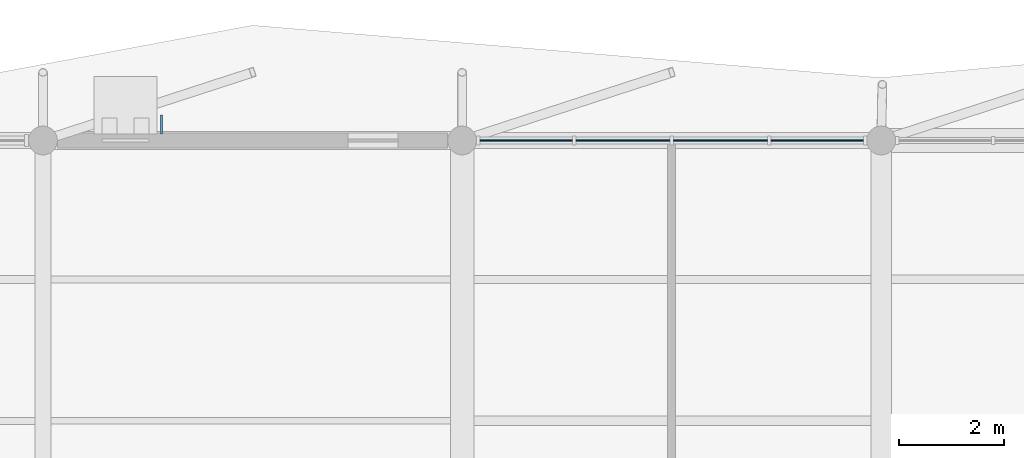
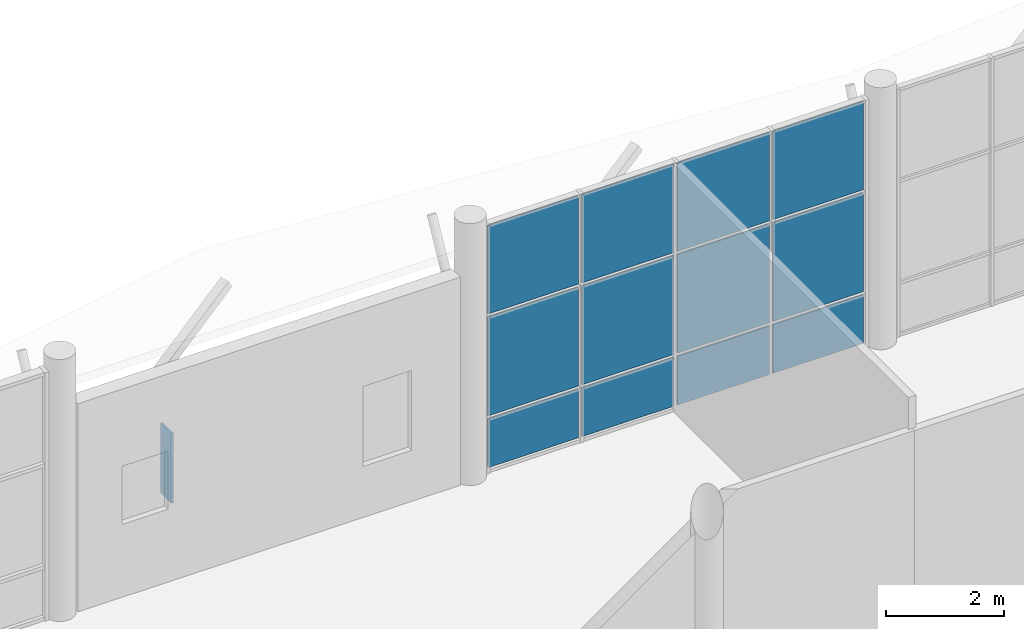
# One storey, part 91 of 122: 13 plates, 1 element without a shape of its own.
"""IFC4 building model written with IfcOpenShell, lengths in metres."""

from ifc_helpers import new_model, si_unit, direction, frame, origin, origin_2d, place, context, subcontext, project, spatial, rectangle, extrude, material, layer, layer_set, type_object, element, aggregate, save


model = new_model("IFC4")

# Units and contexts
model_context = context("Model", 3, precision=1e-05, world=origin(), true_north=direction((0.0, 1.0)))
body_context = subcontext(model_context, "Body", "Model", "MODEL_VIEW")
ifc_project = project(units=[si_unit("LENGTHUNIT", "METRE"), si_unit("AREAUNIT", "SQUARE_METRE"), si_unit("VOLUMEUNIT", "CUBIC_METRE"), si_unit("PLANEANGLEUNIT", "RADIAN"), si_unit("MASSUNIT", "GRAM", prefix="KILO")], contexts=[model_context])

# Site, building, storey
site_placement = place(None, origin())
site = spatial("IfcSite", under=ifc_project, at=site_placement, CompositionType="ELEMENT")
building_placement = place(site_placement, origin())
building = spatial("IfcBuilding", under=site, at=building_placement, Name="Tenunan Teduh Sports Hall", CompositionType="ELEMENT")
storey_placement = place(building_placement, frame((0.0, 0.0, 5.39990234375)))
storey = spatial("IfcBuildingStorey", under=building, at=storey_placement, Name="L01", CompositionType="ELEMENT", Elevation=5.39990234375)

# Curtain wall, plates
ifc_material_1 = material(Name="Anodised aluminium", Category="aluminium")
curtain_wall_type = type_object("IfcCurtainWallType", Name="CW-UNIT-1", PredefinedType="NOTDEFINED", material=ifc_material_1)
curtain_wall_placement = place(storey_placement, origin())
curtain_wall = element("IfcCurtainWall", 1, at=curtain_wall_placement, inside=storey, type_object=curtain_wall_type, Name="CW-CWM-175-L01-250", PredefinedType="NOTDEFINED")
ifc_material_2 = material(Name="Low-E laminated double glazing", Category="glass")
ifc_layer_1 = layer(ifc_material_2, 0.028076171875)
ifc_layer_set_1 = layer_set([ifc_layer_1], Name="Low-E laminated double glazing")
plate_type_1 = type_object("IfcPlateType", Name="CWP-GLZ-28", PredefinedType="CURTAIN_PANEL", material=ifc_layer_set_1)
plate_1_placement = place(storey_placement, frame((123.222412109375, 118.0, 1.1328125), z_axis=(0.0, 0.0, 1.0), x_axis=(1.0, 0.0, 0.0)))
plate_1 = element("IfcPlate", 2, at=plate_1_placement, type_object=plate_type_1, Name="CW-01 panel 1.2", PredefinedType="CURTAIN_PANEL", context=body_context, shape_type="SweptSolid", body=[
    extrude(rectangle(XDim=1.764892578125, YDim=0.028076171875, at=origin_2d()), origin(), (0.0, 0.0, 1.0), 2.034912109375),
])
plate_2_placement = place(storey_placement, frame((123.222412109375, 118.0, 3.232421875), z_axis=(0.0, 0.0, 1.0), x_axis=(1.0, 0.0, 0.0)))
plate_2 = element("IfcPlate", 3, at=plate_2_placement, type_object=plate_type_1, Name="CW-01 panel 1.3", PredefinedType="CURTAIN_PANEL", context=body_context, shape_type="SweptSolid", body=[
    extrude(rectangle(XDim=1.764892578125, YDim=0.028076171875, at=origin_2d()), origin(), (0.0, 0.0, 1.0), 1.822509765625),
])
plate_3_placement = place(storey_placement, frame((125.06884765625, 118.0, 1.1328125), z_axis=(0.0, 0.0, 1.0), x_axis=(1.0, 0.0, 0.0)))
plate_3 = element("IfcPlate", 4, at=plate_3_placement, type_object=plate_type_1, Name="CW-01 panel 2.2", PredefinedType="CURTAIN_PANEL", context=body_context, shape_type="SweptSolid", body=[
    extrude(rectangle(XDim=1.797607421875, YDim=0.028076171875, at=origin_2d()), origin(), (0.0, 0.0, 1.0), 2.034912109375),
])
plate_4_placement = place(storey_placement, frame((125.06884765625, 118.0, 3.232421875), z_axis=(0.0, 0.0, 1.0), x_axis=(1.0, 0.0, 0.0)))
plate_4 = element("IfcPlate", 5, at=plate_4_placement, type_object=plate_type_1, Name="CW-01 panel 2.3", PredefinedType="CURTAIN_PANEL", context=body_context, shape_type="SweptSolid", body=[
    extrude(rectangle(XDim=1.797607421875, YDim=0.028076171875, at=origin_2d()), origin(), (0.0, 0.0, 1.0), 1.822509765625),
])
plate_5_placement = place(storey_placement, frame((126.93115234375, 118.0, 1.1328125), z_axis=(0.0, 0.0, 1.0), x_axis=(1.0, 0.0, 0.0)))
plate_5 = element("IfcPlate", 6, at=plate_5_placement, type_object=plate_type_1, Name="CW-01 panel 3.2", PredefinedType="CURTAIN_PANEL", context=body_context, shape_type="SweptSolid", body=[
    extrude(rectangle(XDim=1.797607421875, YDim=0.028076171875, at=origin_2d()), origin(), (0.0, 0.0, 1.0), 2.034912109375),
])
plate_6_placement = place(storey_placement, frame((126.93115234375, 118.0, 3.232421875), z_axis=(0.0, 0.0, 1.0), x_axis=(1.0, 0.0, 0.0)))
plate_6 = element("IfcPlate", 7, at=plate_6_placement, type_object=plate_type_1, Name="CW-01 panel 3.3", PredefinedType="CURTAIN_PANEL", context=body_context, shape_type="SweptSolid", body=[
    extrude(rectangle(XDim=1.797607421875, YDim=0.028076171875, at=origin_2d()), origin(), (0.0, 0.0, 1.0), 1.822509765625),
])
plate_7_placement = place(storey_placement, frame((128.777587890625, 118.0, 1.1328125), z_axis=(0.0, 0.0, 1.0), x_axis=(1.0, 0.0, 0.0)))
plate_7 = element("IfcPlate", 8, at=plate_7_placement, type_object=plate_type_1, Name="CW-01 panel 4.2", PredefinedType="CURTAIN_PANEL", context=body_context, shape_type="SweptSolid", body=[
    extrude(rectangle(XDim=1.764892578125, YDim=0.028076171875, at=origin_2d()), origin(), (0.0, 0.0, 1.0), 2.034912109375),
])
plate_8_placement = place(storey_placement, frame((128.777587890625, 118.0, 3.232421875), z_axis=(0.0, 0.0, 1.0), x_axis=(1.0, 0.0, 0.0)))
plate_8 = element("IfcPlate", 9, at=plate_8_placement, type_object=plate_type_1, Name="CW-01 panel 4.3", PredefinedType="CURTAIN_PANEL", context=body_context, shape_type="SweptSolid", body=[
    extrude(rectangle(XDim=1.764892578125, YDim=0.028076171875, at=origin_2d()), origin(), (0.0, 0.0, 1.0), 1.822509765625),
])
ifc_material_3 = material(Name="Insulated aluminium spandrel panel", Category="aluminium")
ifc_layer_2 = layer(ifc_material_3, 0.044921875)
ifc_layer_set_2 = layer_set([ifc_layer_2], Name="Insulated aluminium spandrel panel")
plate_type_2 = type_object("IfcPlateType", Name="CWP-SPN-45", PredefinedType="CURTAIN_PANEL", material=ifc_layer_set_2)
plate_9_placement = place(storey_placement, frame((123.222412109375, 118.0, 0.065185546875), z_axis=(0.0, 0.0, 1.0), x_axis=(1.0, 0.0, 0.0)))
plate_9 = element("IfcPlate", 10, at=plate_9_placement, type_object=plate_type_2, Name="CW-01 panel 1.1", PredefinedType="CURTAIN_PANEL", context=body_context, shape_type="SweptSolid", body=[
    extrude(rectangle(XDim=1.764892578125, YDim=0.028076171875, at=origin_2d()), origin(), (0.0, 0.0, 1.0), 1.00244140625),
])
plate_10_placement = place(storey_placement, frame((125.06884765625, 118.0, 0.065185546875), z_axis=(0.0, 0.0, 1.0), x_axis=(1.0, 0.0, 0.0)))
plate_10 = element("IfcPlate", 11, at=plate_10_placement, type_object=plate_type_2, Name="CW-01 panel 2.1", PredefinedType="CURTAIN_PANEL", context=body_context, shape_type="SweptSolid", body=[
    extrude(rectangle(XDim=1.797607421875, YDim=0.028076171875, at=origin_2d()), origin(), (0.0, 0.0, 1.0), 1.00244140625),
])
plate_11_placement = place(storey_placement, frame((126.93115234375, 118.0, 0.065185546875), z_axis=(0.0, 0.0, 1.0), x_axis=(1.0, 0.0, 0.0)))
plate_11 = element("IfcPlate", 12, at=plate_11_placement, type_object=plate_type_2, Name="CW-01 panel 3.1", PredefinedType="CURTAIN_PANEL", context=body_context, shape_type="SweptSolid", body=[
    extrude(rectangle(XDim=1.797607421875, YDim=0.028076171875, at=origin_2d()), origin(), (0.0, 0.0, 1.0), 1.00244140625),
])
plate_12_placement = place(storey_placement, frame((128.777587890625, 118.0, 0.065185546875), z_axis=(0.0, 0.0, 1.0), x_axis=(1.0, 0.0, 0.0)))
plate_12 = element("IfcPlate", 13, at=plate_12_placement, type_object=plate_type_2, Name="CW-01 panel 4.1", PredefinedType="CURTAIN_PANEL", context=body_context, shape_type="SweptSolid", body=[
    extrude(rectangle(XDim=1.764892578125, YDim=0.028076171875, at=origin_2d()), origin(), (0.0, 0.0, 1.0), 1.00244140625),
])
aggregate(curtain_wall, [plate_9, plate_1, plate_2, plate_10, plate_3, plate_4, plate_11, plate_5, plate_6, plate_12, plate_7, plate_8])

# Plate
ifc_material_4 = material(Name="Anodised aluminium", Category="aluminium")
ifc_layer_3 = layer(ifc_material_4, 1.89990234375)
ifc_layer_set_3 = layer_set([ifc_layer_3], Name="Anodised aluminium")
plate_type_3 = type_object("IfcPlateType", Name="PLT-FIN-1", PredefinedType="SHEET", material=ifc_layer_set_3)
plate_13_placement = place(storey_placement, frame((116.264892578125, 118.304931640625, 1.380126953125), z_axis=(0.0, 0.0, 1.0), x_axis=(1.0, 0.0, 0.0)))
element("IfcPlate", 14, at=plate_13_placement, inside=storey, type_object=plate_type_3, Name="PLT-FIN-L01-086", PredefinedType="SHEET", context=body_context, shape_type="SweptSolid", body=[
    extrude(rectangle(XDim=0.0400390625, YDim=0.360107421875, at=origin_2d()), origin(), (0.0, 0.0, 1.0), 1.43994140625),
])

save(model, "model.ifc")
